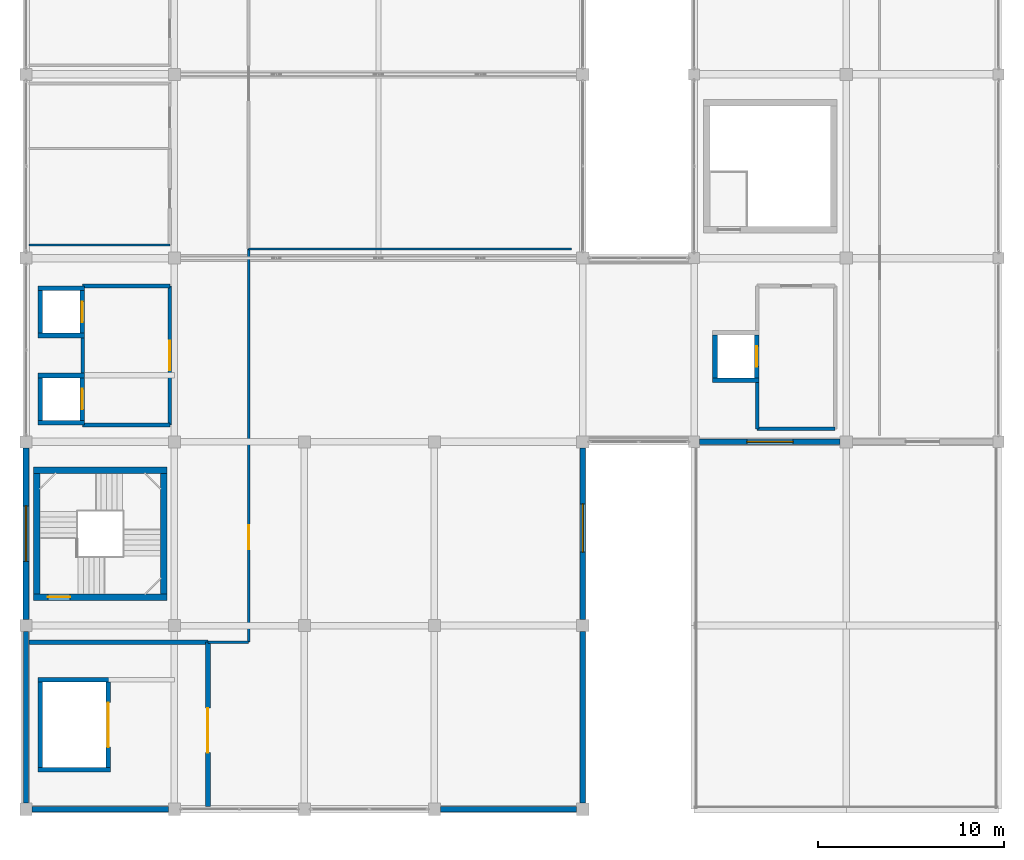
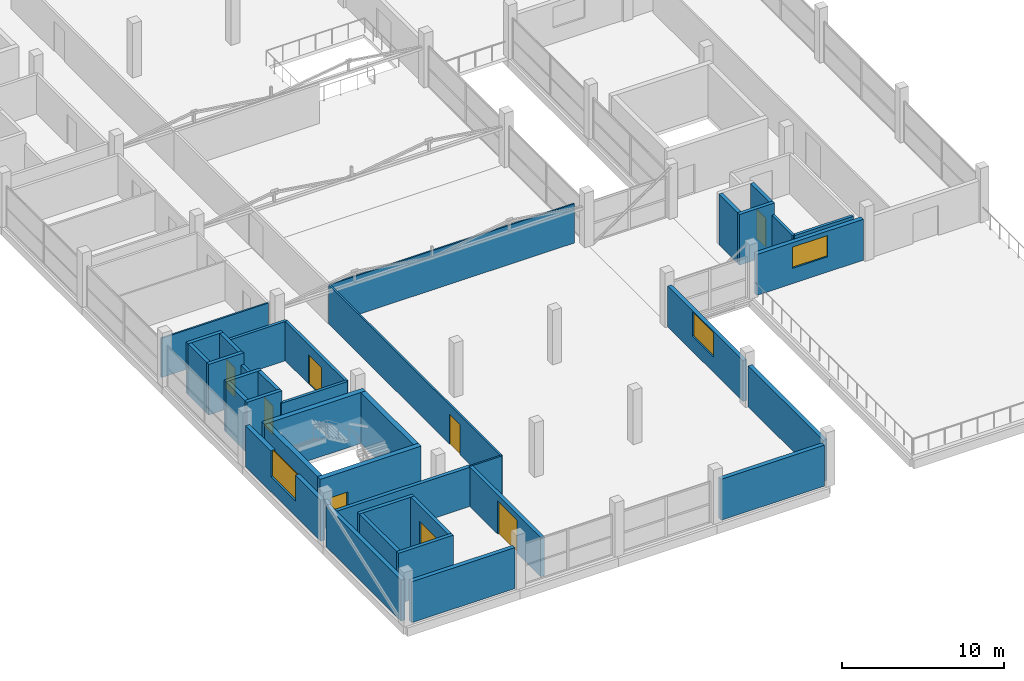
# One storey, part 45 of 53: 38 walls, 8 doors, 3 windows, 11 openings.
"""IFC4 building model written with IfcOpenShell, lengths in metres."""

from ifc_helpers import new_model, si_unit, direction, frame, frame_2d, origin, place, context, subcontext, project, spatial, rectangle, extrude, material, layer, layer_set, type_object, element, fill, save


model = new_model("IFC4")

# Units and contexts
model_context = context("Model", 3, precision=1e-05, world=origin(), true_north=direction((0.0, 1.0)))
body_context = subcontext(model_context, "Body", "Model", "MODEL_VIEW")
ifc_project = project(units=[si_unit("LENGTHUNIT", "METRE"), si_unit("AREAUNIT", "SQUARE_METRE"), si_unit("VOLUMEUNIT", "CUBIC_METRE"), si_unit("PLANEANGLEUNIT", "RADIAN"), si_unit("MASSUNIT", "GRAM", prefix="KILO")], contexts=[model_context])

# Site, building, storey
site_placement = place(None, origin())
site = spatial("IfcSite", under=ifc_project, at=site_placement, CompositionType="ELEMENT")
building_placement = place(site_placement, origin())
building = spatial("IfcBuilding", under=site, at=building_placement, Name="Sillaruma Civic Art Gallery", CompositionType="ELEMENT")
storey_placement = place(building_placement, frame((0.0, 0.0, 70.3798828125)))
storey = spatial("IfcBuildingStorey", under=building, at=storey_placement, Name="L14", CompositionType="ELEMENT", Elevation=70.3798828125)

# Wall, opening, door
ifc_material_1 = material(Name="Concrete H40 (40 MPa)", Category="concrete")
ifc_layer_1 = layer(ifc_material_1, 0.35009765625, Name="Concrete H40 (40 MPa)")
ifc_layer_set_1 = layer_set([ifc_layer_1], Name="Concrete H40 (40 MPa)")
wall_type_1 = type_object("IfcWallType", Name="WAL-CORE-350", PredefinedType="SHEAR", material=ifc_layer_set_1)
wall_1_placement = place(storey_placement, frame((62.409912109375, 31.235107421875, 0.0), z_axis=(0.0, 0.0, 1.0), x_axis=(1.0, 0.0, 0.0)))
wall_1 = element("IfcWall", 1, at=wall_1_placement, inside=storey, type_object=wall_type_1, Name="Stair Core Shear Wall W-CORE-350 (ST-03:L14:S)", PredefinedType="SHEAR", context=body_context, shape_type="SweptSolid", body=[
    extrude(rectangle(XDim=7.18017578125, YDim=0.35009765625, at=frame_2d((3.590087890625, 0.0))), origin(), (0.0, 0.0, 1.0), 3.830078125),
])
opening_1_placement = place(wall_1_placement, frame((0.77001953125, 0.0, 0.0)))
opening_1 = element("IfcOpeningElement", 2, at=opening_1_placement, cuts=wall_1, Name="Opening D-STAIR", PredefinedType="OPENING", context=body_context, shape_type="SweptSolid", body=[
    extrude(rectangle(XDim=1.199951171875, YDim=2.199951171875, at=frame_2d((0.60009765625, 1.10009765625))), frame((0.0, 0.18505859375, 0.0), z_axis=(0.0, -1.0, 0.0), x_axis=(1.0, 0.0, 0.0)), (0.0, 0.0, 1.0), 0.3701171875),
])
ifc_material_2 = material(Name="Galvanised Steel ASTM A653 Gr.50", Category="steel")
door_type_1 = type_object("IfcDoorType", Name="DOR-STAIR-120", OperationType="NOTDEFINED", PredefinedType="DOOR", material=ifc_material_2)
door_1_placement = place(opening_1_placement, origin())
door_1 = element("IfcDoor", 3, at=door_1_placement, inside=storey, type_object=door_type_1, Name="Protected Stair Fire Door (ST-03:L14)", OperationType="SINGLE_SWING_RIGHT", OverallHeight=2.199951171875, OverallWidth=1.199951171875, PredefinedType="DOOR", context=body_context, shape_type="SweptSolid", body=[
    extrude(rectangle(XDim=1.199951171875, YDim=2.199951171875, at=frame_2d((0.60009765625, 1.10009765625))), frame((0.0, 0.02490234375, 0.0), z_axis=(0.0, -1.0, 0.0), x_axis=(1.0, 0.0, 0.0)), (0.0, 0.0, 1.0), 0.050048828125),
])
fill(opening_1, door_1)

# Walls
wall_2_placement = place(storey_placement, frame((62.409912109375, 38.06494140625, 0.0), z_axis=(0.0, 0.0, 1.0), x_axis=(1.0, 0.0, 0.0)))
element("IfcWall", 4, at=wall_2_placement, inside=storey, type_object=wall_type_1, Name="Stair Core Shear Wall W-CORE-350 (ST-03:L14:N)", PredefinedType="SHEAR", context=body_context, shape_type="SweptSolid", body=[
    extrude(rectangle(XDim=7.18017578125, YDim=0.35009765625, at=frame_2d((3.590087890625, 0.0))), origin(), (0.0, 0.0, 1.0), 3.830078125),
])
for number, where, z_axis, x_axis, name in (
    (5, (62.5849609375, 31.409912109375, 0.0), (0.0, 0.0, 1.0), (0.0, 1.0, 0.0), "Stair Core Shear Wall W-CORE-350 (ST-03:L14:W)"),
    (6, (69.4150390625, 31.409912109375, 0.0), (0.0, 0.0, 1.0), (0.0, 1.0, 0.0), "Stair Core Shear Wall W-CORE-350 (ST-03:L14:E)"),
):
    element("IfcWall", number, at=place(storey_placement, frame(where, z_axis=z_axis, x_axis=x_axis)), inside=storey, type_object=wall_type_1, Name=name, PredefinedType="SHEAR", context=body_context, shape_type="SweptSolid", body=[
        extrude(rectangle(XDim=6.47998046875, YDim=0.35009765625, at=frame_2d((3.239990234375, 0.0))), origin(), (0.0, 0.0, 1.0), 3.830078125),
    ])
ifc_material_3 = material(Name="Concrete H35 (35 MPa)", Category="concrete")
ifc_layer_2 = layer(ifc_material_3, 0.159912109375, Name="Concrete backup", Category="concrete")
ifc_material_4 = material(Name="Mineral Wool Thermal Insulation", Category="insulation")
ifc_layer_3 = layer(ifc_material_4, 0.090087890625, Name="Thermal insulation", Category="insulation")
ifc_material_5 = material(Name="Anodised Zinc-Aluminium Alloy", Category="aluminium")
ifc_layer_4 = layer(ifc_material_5, 0.030029296875, Name="Rainscreen finish", Category="aluminium")
ifc_layer_set_2 = layer_set([ifc_layer_2, ifc_layer_3, ifc_layer_4], Name="W-EXT-280")
wall_type_2 = type_object("IfcWallType", Name="WAL-EXT-280", PredefinedType="SOLIDWALL", material=ifc_layer_set_2)
wall_3_placement = place(storey_placement, frame((92.0, 20.125, 0.0), z_axis=(0.0, 0.0, 1.0), x_axis=(0.0, 1.0, 0.0)))
element("IfcWall", 7, at=wall_3_placement, inside=storey, type_object=wall_type_2, Name="Exterior Wall W-EXT-280 (EW-L14-WBE-1)", PredefinedType="SOLIDWALL", context=body_context, shape_type="SweptSolid", body=[
    extrude(rectangle(XDim=9.25, YDim=0.280029296875, at=frame_2d((4.625, 0.0))), origin(), (0.0, 0.0, 1.0), 3.080078125),
])

# Wall, opening, window
wall_4_placement = place(storey_placement, frame((92.0, 30.02490234375, 0.0), z_axis=(0.0, 0.0, 1.0), x_axis=(0.0, 1.0, 0.0)))
wall_4 = element("IfcWall", 8, at=wall_4_placement, inside=storey, type_object=wall_type_2, Name="Exterior Wall W-EXT-280 (EW-L14-WBE-2)", PredefinedType="SOLIDWALL", context=body_context, shape_type="SweptSolid", body=[
    extrude(rectangle(XDim=9.25, YDim=0.280029296875, at=frame_2d((4.625, 0.0))), origin(), (0.0, 0.0, 1.0), 3.080078125),
])
opening_2_placement = place(wall_4_placement, frame((3.625, 0.0, 1.14990234375)))
opening_2 = element("IfcOpeningElement", 9, at=opening_2_placement, cuts=wall_4, Name="Opening WN-08", PredefinedType="OPENING", context=body_context, shape_type="SweptSolid", body=[
    extrude(rectangle(XDim=2.60009765625, YDim=1.85009765625, at=frame_2d((1.300048828125, 0.925048828125))), frame((0.0, 0.14990234375, 0.0), z_axis=(0.0, -1.0, 0.0), x_axis=(1.0, 0.0, 0.0)), (0.0, 0.0, 1.0), 0.300048828125),
])
ifc_material_6 = material(Name="Thermally Broken Extruded Aluminium 6063-T6", Category="aluminium")
window_type_1 = type_object("IfcWindowType", Name="WIN-W08", PartitioningType="SINGLE_PANEL", PredefinedType="WINDOW", material=ifc_material_6)
window_1_placement = place(opening_2_placement, origin())
window_1 = element("IfcWindow", 10, at=window_1_placement, inside=storey, type_object=window_type_1, Name="Window WN-08 (EW-L14-WBE-2-1)", OverallHeight=1.85009765625, OverallWidth=2.60009765625, PartitioningType="SINGLE_PANEL", PredefinedType="WINDOW", context=body_context, shape_type="SweptSolid", body=[
    extrude(rectangle(XDim=2.60009765625, YDim=1.85009765625, at=frame_2d((1.300048828125, 0.925048828125))), frame((0.0, 0.030029296875, 0.0), z_axis=(0.0, -1.0, 0.0), x_axis=(1.0, 0.0, 0.0)), (0.0, 0.0, 1.0), 0.06005859375),
])
fill(opening_2, window_1)

# Wall
ifc_layer_5 = layer(ifc_material_3, 0.169921875, Name="Concrete backup", Category="concrete")
ifc_layer_6 = layer(ifc_material_4, 0.090087890625, Name="Thermal insulation", Category="insulation")
ifc_layer_7 = layer(ifc_material_5, 0.030029296875, Name="Rainscreen finish", Category="aluminium")
ifc_layer_set_3 = layer_set([ifc_layer_5, ifc_layer_6, ifc_layer_7], Name="W-EXT-290")
wall_type_3 = type_object("IfcWallType", Name="WAL-EXT-290", PredefinedType="SOLIDWALL", material=ifc_layer_set_3)
wall_5_placement = place(storey_placement, frame((62.0, 20.125, 0.0), z_axis=(0.0, 0.0, 1.0), x_axis=(0.0, 1.0, 0.0)))
element("IfcWall", 11, at=wall_5_placement, inside=storey, type_object=wall_type_3, Name="Exterior Wall W-EXT-290 (EW-L14-WBW-1)", PredefinedType="SOLIDWALL", context=body_context, shape_type="SweptSolid", body=[
    extrude(rectangle(XDim=9.25, YDim=0.2900390625, at=frame_2d((4.625, 0.0))), origin(), (0.0, 0.0, 1.0), 3.080078125),
])

# Wall, opening, window
ifc_material_7 = material(Name="Precast Concrete H35 (35 MPa)", Category="concrete")
ifc_layer_8 = layer(ifc_material_7, 0.179931640625, Name="Precast backup", Category="concrete")
ifc_layer_9 = layer(ifc_material_4, 0.090087890625, Name="Thermal insulation", Category="insulation")
ifc_material_8 = material(Name="Comanche Granitic Ashlar Stone", Category="masonry")
ifc_layer_10 = layer(ifc_material_8, 0.030029296875, Name="Rainscreen cladding", Category="masonry")
ifc_layer_set_4 = layer_set([ifc_layer_8, ifc_layer_9, ifc_layer_10], Name="W-EXT-300")
wall_type_4 = type_object("IfcWallType", Name="WAL-EXT-300", PredefinedType="SOLIDWALL", material=ifc_layer_set_4)
wall_6_placement = place(storey_placement, frame((62.0, 30.02490234375, 0.0), z_axis=(0.0, 0.0, 1.0), x_axis=(0.0, 1.0, 0.0)))
wall_6 = element("IfcWall", 12, at=wall_6_placement, inside=storey, type_object=wall_type_4, Name="Exterior Wall W-EXT-300 (EW-L14-WBW-2)", PredefinedType="SOLIDWALL", context=body_context, shape_type="SweptSolid", body=[
    extrude(rectangle(XDim=9.25, YDim=0.300048828125, at=frame_2d((4.625, 0.0))), origin(), (0.0, 0.0, 1.0), 3.080078125),
])
opening_3_placement = place(wall_6_placement, frame((3.125, 0.0, 1.14990234375)))
opening_3 = element("IfcOpeningElement", 13, at=opening_3_placement, cuts=wall_6, Name="Opening WN-10", PredefinedType="OPENING", context=body_context, shape_type="SweptSolid", body=[
    extrude(rectangle(XDim=3.0, YDim=1.949951171875, at=frame_2d((1.5, 0.97509765625))), frame((0.0, 0.159912109375, 0.0), z_axis=(0.0, -1.0, 0.0), x_axis=(1.0, 0.0, 0.0)), (0.0, 0.0, 1.0), 0.320068359375),
])
window_type_2 = type_object("IfcWindowType", Name="WIN-W10", PartitioningType="SINGLE_PANEL", PredefinedType="WINDOW", material=ifc_material_6)
window_2_placement = place(opening_3_placement, origin())
window_2 = element("IfcWindow", 14, at=window_2_placement, inside=storey, type_object=window_type_2, Name="Window WN-10 (EW-L14-WBW-2-1)", OverallHeight=1.949951171875, OverallWidth=3.0, PartitioningType="SINGLE_PANEL", PredefinedType="WINDOW", context=body_context, shape_type="SweptSolid", body=[
    extrude(rectangle(XDim=3.0, YDim=1.949951171875, at=frame_2d((1.5, 0.97509765625))), frame((0.0, 0.030029296875, 0.0), z_axis=(0.0, -1.0, 0.0), x_axis=(1.0, 0.0, 0.0)), (0.0, 0.0, 1.0), 0.06005859375),
])
fill(opening_3, window_2)

# Walls
for number, where, z_axis, x_axis, name in (
    (15, (62.324951171875, 19.800048828125, 0.0), (0.0, 0.0, 1.0), (1.0, 0.0, 0.0), "Exterior Wall W-EXT-300 (EW-L14-WBS-1)"),
    (16, (84.324951171875, 19.800048828125, 0.0), (0.0, 0.0, 1.0), (1.0, 0.0, 0.0), "Exterior Wall W-EXT-300 (EW-L14-WBS-4)"),
):
    element("IfcWall", number, at=place(storey_placement, frame(where, z_axis=z_axis, x_axis=x_axis)), inside=storey, type_object=wall_type_4, Name=name, PredefinedType="SOLIDWALL", context=body_context, shape_type="SweptSolid", body=[
        extrude(rectangle(XDim=7.35009765625, YDim=0.300048828125, at=frame_2d((3.675048828125, 0.0))), origin(), (0.0, 0.0, 1.0), 3.080078125),
    ])

# Wall, opening, window
wall_7_placement = place(storey_placement, frame((98.300048828125, 39.60009765625, 0.0), z_axis=(0.0, 0.0, 1.0), x_axis=(1.0, 0.0, 0.0)))
wall_7 = element("IfcWall", 17, at=wall_7_placement, inside=storey, type_object=wall_type_4, Name="Exterior Wall W-EXT-300 (EW-L14-EHH-S1)", PredefinedType="SOLIDWALL", context=body_context, shape_type="SweptSolid", body=[
    extrude(rectangle(XDim=7.574951171875, YDim=0.300048828125, at=frame_2d((3.78759765625, 0.0))), origin(), (0.0, 0.0, 1.0), 3.080078125),
])
opening_4_placement = place(wall_7_placement, frame((2.5380859375, 0.0, 1.14990234375)))
opening_4 = element("IfcOpeningElement", 18, at=opening_4_placement, cuts=wall_7, Name="Opening WN-11", PredefinedType="OPENING", context=body_context, shape_type="SweptSolid", body=[
    extrude(rectangle(XDim=2.5, YDim=1.60009765625, at=frame_2d((1.25, 0.800048828125))), frame((0.0, 0.159912109375, 0.0), z_axis=(0.0, -1.0, 0.0), x_axis=(1.0, 0.0, 0.0)), (0.0, 0.0, 1.0), 0.320068359375),
])
window_type_3 = type_object("IfcWindowType", Name="WIN-W11", PartitioningType="SINGLE_PANEL", PredefinedType="WINDOW", material=ifc_material_6)
window_3_placement = place(opening_4_placement, origin())
window_3 = element("IfcWindow", 19, at=window_3_placement, inside=storey, type_object=window_type_3, Name="Window WN-11 (EW-L14-EHH-S1-1)", OverallHeight=1.60009765625, OverallWidth=2.5, PartitioningType="SINGLE_PANEL", PredefinedType="WINDOW", context=body_context, shape_type="SweptSolid", body=[
    extrude(rectangle(XDim=2.5, YDim=1.60009765625, at=frame_2d((1.25, 0.800048828125))), frame((0.0, 0.030029296875, 0.0), z_axis=(0.0, -1.0, 0.0), x_axis=(1.0, 0.0, 0.0)), (0.0, 0.0, 1.0), 0.06005859375),
])
fill(opening_4, window_3)

# Walls
ifc_material_9 = material(Name="Concrete Masonry Unit Grade M15", Category="masonry")
ifc_layer_11 = layer(ifc_material_9, 0.199951171875, Name="Concrete Masonry Unit Grade M15")
ifc_layer_set_5 = layer_set([ifc_layer_11], Name="Concrete Masonry Unit Grade M15")
wall_type_5 = type_object("IfcWallType", Name="WAL-LOBBY-200", PredefinedType="SOLIDWALL", material=ifc_layer_set_5)
for number, where, z_axis, x_axis, name in (
    (20, (65.050048828125, 40.5, 0.0), (0.0, 0.0, 1.0), (1.0, 0.0, 0.0), "Interior Wall W-LOBBY-200 (L14-LLW)"),
    (21, (65.050048828125, 48.0, 0.0), (0.0, 0.0, 1.0), (1.0, 0.0, 0.0), "Interior Wall W-LOBBY-200 (L14-LLW)"),
):
    element("IfcWall", number, at=place(storey_placement, frame(where, z_axis=z_axis, x_axis=x_axis)), inside=storey, type_object=wall_type_5, Name=name, PredefinedType="SOLIDWALL", context=body_context, shape_type="SweptSolid", body=[
        extrude(rectangle(XDim=4.699951171875, YDim=0.199951171875, at=frame_2d((2.35009765625, 0.0))), origin(), (0.0, 0.0, 1.0), 2.9501953125),
    ])
wall_8_placement = place(storey_placement, frame((65.050048828125, 43.300048828125, 0.0), z_axis=(0.0, 0.0, 1.0), x_axis=(0.0, 1.0, 0.0)))
element("IfcWall", 22, at=wall_8_placement, inside=storey, type_object=wall_type_5, Name="Interior Wall W-LOBBY-200 (L14-LLW)", PredefinedType="SOLIDWALL", context=body_context, shape_type="SweptSolid", body=[
    extrude(rectangle(XDim=1.89990234375, YDim=0.199951171875, at=frame_2d((0.949951171875, 0.0))), origin(), (0.0, 0.0, 1.0), 2.9501953125),
])

# Wall, opening, door
wall_9_placement = place(storey_placement, frame((69.75, 40.5, 0.0), z_axis=(0.0, 0.0, 1.0), x_axis=(0.0, 1.0, 0.0)))
wall_9 = element("IfcWall", 23, at=wall_9_placement, inside=storey, type_object=wall_type_5, Name="Interior Wall W-LOBBY-200 (L14-LLW)", PredefinedType="SOLIDWALL", context=body_context, shape_type="SweptSolid", body=[
    extrude(rectangle(XDim=7.5, YDim=0.199951171875, at=frame_2d((3.75, 0.0))), origin(), (0.0, 0.0, 1.0), 2.9501953125),
])
opening_5_placement = place(wall_9_placement, frame((2.949951171875, 0.0, 0.0)))
opening_5 = element("IfcOpeningElement", 24, at=opening_5_placement, cuts=wall_9, Name="Opening D-LOBBY", PredefinedType="OPENING", context=body_context, shape_type="SweptSolid", body=[
    extrude(rectangle(XDim=1.60009765625, YDim=2.199951171875, at=frame_2d((0.800048828125, 1.10009765625))), frame((0.0, 0.10986328125, 0.0), z_axis=(0.0, -1.0, 0.0), x_axis=(1.0, 0.0, 0.0)), (0.0, 0.0, 1.0), 0.219970703125),
])
door_type_2 = type_object("IfcDoorType", Name="DOR-LOBBY-160", OperationType="NOTDEFINED", PredefinedType="DOOR", material=ifc_material_6)
door_2_placement = place(opening_5_placement, origin())
door_2 = element("IfcDoor", 25, at=door_2_placement, inside=storey, type_object=door_type_2, Name="West Lift Lobby Door (D-LOBBY)", OperationType="DOUBLE_DOOR_SINGLE_SWING", OverallHeight=2.199951171875, OverallWidth=1.60009765625, PredefinedType="DOOR", context=body_context, shape_type="SweptSolid", body=[
    extrude(rectangle(XDim=1.60009765625, YDim=2.199951171875, at=frame_2d((0.800048828125, 1.10009765625))), frame((0.0, 0.02490234375, 0.0), z_axis=(0.0, -1.0, 0.0), x_axis=(1.0, 0.0, 0.0)), (0.0, 0.0, 1.0), 0.050048828125),
])
fill(opening_5, door_2)

# Walls
wall_10_placement = place(storey_placement, frame((101.39990234375, 40.300048828125, 0.0), z_axis=(0.0, 0.0, 1.0), x_axis=(1.0, 0.0, 0.0)))
element("IfcWall", 26, at=wall_10_placement, inside=storey, type_object=wall_type_5, Name="Interior Wall W-LOBBY-200 (L14-LLE)", PredefinedType="SOLIDWALL", context=body_context, shape_type="SweptSolid", body=[
    extrude(rectangle(XDim=4.2001953125, YDim=0.199951171875, at=frame_2d((2.10009765625, 0.0))), origin(), (0.0, 0.0, 1.0), 2.9501953125),
])
wall_11_placement = place(storey_placement, frame((101.39990234375, 40.300048828125, 0.0), z_axis=(0.0, 0.0, 1.0), x_axis=(0.0, 1.0, 0.0)))
element("IfcWall", 27, at=wall_11_placement, inside=storey, type_object=wall_type_5, Name="Interior Wall W-LOBBY-200 (L14-LLE)", PredefinedType="SOLIDWALL", context=body_context, shape_type="SweptSolid", body=[
    extrude(rectangle(XDim=2.5, YDim=0.199951171875, at=frame_2d((1.25, 0.0))), origin(), (0.0, 0.0, 1.0), 2.9501953125),
])
ifc_material_10 = material(Name="Gypsum Acoustic Board", Category="gypsum")
ifc_layer_12 = layer(ifc_material_10, 0.02490234375, Name="Finish board", Category="gypsum")
ifc_layer_13 = layer(ifc_material_4, 0.06005859375, Name="Acoustic core", Category="insulation")
ifc_material_11 = material(Name="Andean Oak Timber", Category="wood")
ifc_layer_14 = layer(ifc_material_11, 0.02490234375, Name="Gallery lining", Category="wood")
ifc_layer_set_6 = layer_set([ifc_layer_12, ifc_layer_13, ifc_layer_14], Name="W-PT-110")
wall_type_6 = type_object("IfcWallType", Name="WAL-PART-110", PredefinedType="PARTITIONING", material=ifc_layer_set_6)
wall_12_placement = place(storey_placement, frame((74.0, 50.0, 0.0), z_axis=(0.0, 0.0, 1.0), x_axis=(1.0, 0.0, 0.0)))
element("IfcWall", 28, at=wall_12_placement, inside=storey, type_object=wall_type_6, Name="Interior Wall W-PT-110 (L14-GAL14A)", PredefinedType="PARTITIONING", context=body_context, shape_type="SweptSolid", body=[
    extrude(rectangle(XDim=17.39990234375, YDim=0.110107421875, at=frame_2d((8.699951171875, 0.0))), origin(), (0.0, 0.0, 1.0), 2.9501953125),
])
ifc_layer_15 = layer(ifc_material_10, 0.02490234375, Name="Finish board", Category="gypsum")
ifc_layer_16 = layer(ifc_material_4, 0.070068359375, Name="Acoustic core", Category="insulation")
ifc_layer_17 = layer(ifc_material_11, 0.02490234375, Name="Gallery lining", Category="wood")
ifc_layer_set_7 = layer_set([ifc_layer_15, ifc_layer_16, ifc_layer_17], Name="W-PT-120")
wall_type_7 = type_object("IfcWallType", Name="WAL-PART-120", PredefinedType="PARTITIONING", material=ifc_layer_set_7)
wall_13_placement = place(storey_placement, frame((62.14990234375, 50.199951171875, 0.0), z_axis=(0.0, 0.0, 1.0), x_axis=(1.0, 0.0, 0.0)))
element("IfcWall", 29, at=wall_13_placement, inside=storey, type_object=wall_type_7, Name="Interior Wall W-PT-120 (L14-WC1)", PredefinedType="PARTITIONING", context=body_context, shape_type="SweptSolid", body=[
    extrude(rectangle(XDim=7.60009765625, YDim=0.1201171875, at=frame_2d((3.800048828125, 0.0))), origin(), (0.0, 0.0, 1.0), 2.9501953125),
])
wall_14_placement = place(storey_placement, frame((71.800048828125, 28.800048828125, 0.0), z_axis=(0.0, 0.0, 1.0), x_axis=(1.0, 0.0, 0.0)))
element("IfcWall", 30, at=wall_14_placement, inside=storey, type_object=wall_type_7, Name="Interior Wall W-PT-120 (L14-STD14B)", PredefinedType="PARTITIONING", context=body_context, shape_type="SweptSolid", body=[
    extrude(rectangle(XDim=2.199951171875, YDim=0.1201171875, at=frame_2d((1.10009765625, 0.0))), origin(), (0.0, 0.0, 1.0), 2.9501953125),
])

# Wall, opening, door
ifc_layer_18 = layer(ifc_material_10, 0.02490234375, Name="Finish board", Category="gypsum")
ifc_layer_19 = layer(ifc_material_4, 0.080078125, Name="Acoustic core", Category="insulation")
ifc_layer_20 = layer(ifc_material_11, 0.02490234375, Name="Gallery lining", Category="wood")
ifc_layer_set_8 = layer_set([ifc_layer_18, ifc_layer_19, ifc_layer_20], Name="W-PT-130")
wall_type_8 = type_object("IfcWallType", Name="WAL-PART-130", PredefinedType="PARTITIONING", material=ifc_layer_set_8)
wall_15_placement = place(storey_placement, frame((74.0, 28.800048828125, 0.0), z_axis=(0.0, 0.0, 1.0), x_axis=(0.0, 1.0, 0.0)))
wall_15 = element("IfcWall", 31, at=wall_15_placement, inside=storey, type_object=wall_type_8, Name="Interior Wall W-PT-130 (L14-STD14B)", PredefinedType="PARTITIONING", context=body_context, shape_type="SweptSolid", body=[
    extrude(rectangle(XDim=21.199951171875, YDim=0.1298828125, at=frame_2d((10.60009765625, 0.0))), origin(), (0.0, 0.0, 1.0), 2.9501953125),
])
opening_6_placement = place(wall_15_placement, frame((5.0, 0.0, 0.0)))
opening_6 = element("IfcOpeningElement", 32, at=opening_6_placement, cuts=wall_15, Name="Opening D-STD13", PredefinedType="OPENING", context=body_context, shape_type="SweptSolid", body=[
    extrude(rectangle(XDim=1.300048828125, YDim=2.25, at=frame_2d((0.64990234375, 1.125))), frame((0.0, 0.074951171875, 0.0), z_axis=(0.0, -1.0, 0.0), x_axis=(1.0, 0.0, 0.0)), (0.0, 0.0, 1.0), 0.14990234375),
])
door_type_3 = type_object("IfcDoorType", Name="DOR-STD-130", OperationType="NOTDEFINED", PredefinedType="DOOR", material=ifc_material_11)
door_3_placement = place(opening_6_placement, origin())
door_3 = element("IfcDoor", 33, at=door_3_placement, inside=storey, type_object=door_type_3, Name="Senior Fellowship Artist Studio South Door (D-STD13)", OperationType="SINGLE_SWING_RIGHT", OverallHeight=2.25, OverallWidth=1.300048828125, PredefinedType="DOOR", context=body_context, shape_type="SweptSolid", body=[
    extrude(rectangle(XDim=1.300048828125, YDim=2.25, at=frame_2d((0.64990234375, 1.125))), frame((0.0, 0.02490234375, 0.0), z_axis=(0.0, -1.0, 0.0), x_axis=(1.0, 0.0, 0.0)), (0.0, 0.0, 1.0), 0.050048828125),
])
fill(opening_6, door_3)

# Walls
ifc_layer_21 = layer(ifc_material_1, 0.25, Name="Concrete H40 (40 MPa)")
ifc_layer_set_9 = layer_set([ifc_layer_21], Name="Concrete H40 (40 MPa)")
wall_type_9 = type_object("IfcWallType", Name="WAL-SHAFT-250", PredefinedType="SOLIDWALL", material=ifc_layer_set_9)
for number, where, z_axis, x_axis, name in (
    (34, (62.64990234375, 40.625, 0.0), (0.0, 0.0, 1.0), (1.0, 0.0, 0.0), "Lift Shaft Wall W-SHAFT-250 (PL-01:L14:S)"),
    (35, (62.64990234375, 43.175048828125, 0.0), (0.0, 0.0, 1.0), (1.0, 0.0, 0.0), "Lift Shaft Wall W-SHAFT-250 (PL-01:L14:N)"),
):
    element("IfcWall", number, at=place(storey_placement, frame(where, z_axis=z_axis, x_axis=x_axis)), inside=storey, type_object=wall_type_9, Name=name, PredefinedType="SOLIDWALL", context=body_context, shape_type="SweptSolid", body=[
        extrude(rectangle(XDim=2.5, YDim=0.25, at=frame_2d((1.25, 0.0))), origin(), (0.0, 0.0, 1.0), 3.81005859375),
    ])
wall_16_placement = place(storey_placement, frame((62.77490234375, 40.75, 0.0), z_axis=(0.0, 0.0, 1.0), x_axis=(0.0, 1.0, 0.0)))
element("IfcWall", 36, at=wall_16_placement, inside=storey, type_object=wall_type_9, Name="Lift Shaft Wall W-SHAFT-250 (PL-01:L14:W)", PredefinedType="SOLIDWALL", context=body_context, shape_type="SweptSolid", body=[
    extrude(rectangle(XDim=2.300048828125, YDim=0.25, at=frame_2d((1.14990234375, 0.0))), origin(), (0.0, 0.0, 1.0), 3.81005859375),
])

# Wall, opening, door
wall_17_placement = place(storey_placement, frame((65.02490234375, 40.75, 0.0), z_axis=(0.0, 0.0, 1.0), x_axis=(0.0, 1.0, 0.0)))
wall_17 = element("IfcWall", 37, at=wall_17_placement, inside=storey, type_object=wall_type_9, Name="Lift Shaft Wall W-SHAFT-250 (PL-01:L14:E)", PredefinedType="SOLIDWALL", context=body_context, shape_type="SweptSolid", body=[
    extrude(rectangle(XDim=2.300048828125, YDim=0.25, at=frame_2d((1.14990234375, 0.0))), origin(), (0.0, 0.0, 1.0), 3.81005859375),
])
opening_7_placement = place(wall_17_placement, frame((0.60009765625, 0.0, 0.0)))
opening_7 = element("IfcOpeningElement", 38, at=opening_7_placement, cuts=wall_17, Name="Opening LD-01", PredefinedType="OPENING", context=body_context, shape_type="SweptSolid", body=[
    extrude(rectangle(XDim=1.10009765625, YDim=2.199951171875, at=frame_2d((0.550048828125, 1.10009765625))), frame((0.0, 0.135009765625, 0.0), z_axis=(0.0, -1.0, 0.0), x_axis=(1.0, 0.0, 0.0)), (0.0, 0.0, 1.0), 0.27001953125),
])
door_type_4 = type_object("IfcDoorType", Name="DOR-LD-01", OperationType="NOTDEFINED", PredefinedType="DOOR", material=ifc_material_2)
door_4_placement = place(opening_7_placement, origin())
door_4 = element("IfcDoor", 39, at=door_4_placement, inside=storey, type_object=door_type_4, Name="Lift Sliding Landing Door LD-01 (PL-01:L14)", OperationType="DOUBLE_DOOR_SLIDING", OverallHeight=2.199951171875, OverallWidth=1.10009765625, PredefinedType="DOOR", context=body_context, shape_type="SweptSolid", body=[
    extrude(rectangle(XDim=1.10009765625, YDim=2.199951171875, at=frame_2d((0.550048828125, 1.10009765625))), frame((0.0, 0.02490234375, 0.0), z_axis=(0.0, -1.0, 0.0), x_axis=(1.0, 0.0, 0.0)), (0.0, 0.0, 1.0), 0.050048828125),
])
fill(opening_7, door_4)

# Walls
for number, where, z_axis, x_axis, name in (
    (40, (62.64990234375, 45.324951171875, 0.0), (0.0, 0.0, 1.0), (1.0, 0.0, 0.0), "Lift Shaft Wall W-SHAFT-250 (PL-02:L14:S)"),
    (41, (62.64990234375, 47.875, 0.0), (0.0, 0.0, 1.0), (1.0, 0.0, 0.0), "Lift Shaft Wall W-SHAFT-250 (PL-02:L14:N)"),
):
    element("IfcWall", number, at=place(storey_placement, frame(where, z_axis=z_axis, x_axis=x_axis)), inside=storey, type_object=wall_type_9, Name=name, PredefinedType="SOLIDWALL", context=body_context, shape_type="SweptSolid", body=[
        extrude(rectangle(XDim=2.5, YDim=0.25, at=frame_2d((1.25, 0.0))), origin(), (0.0, 0.0, 1.0), 3.81005859375),
    ])
wall_18_placement = place(storey_placement, frame((62.77490234375, 45.449951171875, 0.0), z_axis=(0.0, 0.0, 1.0), x_axis=(0.0, 1.0, 0.0)))
element("IfcWall", 42, at=wall_18_placement, inside=storey, type_object=wall_type_9, Name="Lift Shaft Wall W-SHAFT-250 (PL-02:L14:W)", PredefinedType="SOLIDWALL", context=body_context, shape_type="SweptSolid", body=[
    extrude(rectangle(XDim=2.300048828125, YDim=0.25, at=frame_2d((1.14990234375, 0.0))), origin(), (0.0, 0.0, 1.0), 3.81005859375),
])

# Wall, opening, door
wall_19_placement = place(storey_placement, frame((65.02490234375, 45.449951171875, 0.0), z_axis=(0.0, 0.0, 1.0), x_axis=(0.0, 1.0, 0.0)))
wall_19 = element("IfcWall", 43, at=wall_19_placement, inside=storey, type_object=wall_type_9, Name="Lift Shaft Wall W-SHAFT-250 (PL-02:L14:E)", PredefinedType="SOLIDWALL", context=body_context, shape_type="SweptSolid", body=[
    extrude(rectangle(XDim=2.300048828125, YDim=0.25, at=frame_2d((1.14990234375, 0.0))), origin(), (0.0, 0.0, 1.0), 3.81005859375),
])
opening_8_placement = place(wall_19_placement, frame((0.60009765625, 0.0, 0.0)))
opening_8 = element("IfcOpeningElement", 44, at=opening_8_placement, cuts=wall_19, Name="Opening LD-01", PredefinedType="OPENING", context=body_context, shape_type="SweptSolid", body=[
    extrude(rectangle(XDim=1.10009765625, YDim=2.199951171875, at=frame_2d((0.550048828125, 1.10009765625))), frame((0.0, 0.135009765625, 0.0), z_axis=(0.0, -1.0, 0.0), x_axis=(1.0, 0.0, 0.0)), (0.0, 0.0, 1.0), 0.27001953125),
])
door_5_placement = place(opening_8_placement, origin())
door_5 = element("IfcDoor", 45, at=door_5_placement, inside=storey, type_object=door_type_4, Name="Lift Sliding Landing Door LD-01 (PL-02:L14)", OperationType="DOUBLE_DOOR_SLIDING", OverallHeight=2.199951171875, OverallWidth=1.10009765625, PredefinedType="DOOR", context=body_context, shape_type="SweptSolid", body=[
    extrude(rectangle(XDim=1.10009765625, YDim=2.199951171875, at=frame_2d((0.550048828125, 1.10009765625))), frame((0.0, 0.02490234375, 0.0), z_axis=(0.0, -1.0, 0.0), x_axis=(1.0, 0.0, 0.0)), (0.0, 0.0, 1.0), 0.050048828125),
])
fill(opening_8, door_5)

# Walls
wall_20_placement = place(storey_placement, frame((99.0, 42.925048828125, 0.0), z_axis=(0.0, 0.0, 1.0), x_axis=(1.0, 0.0, 0.0)))
element("IfcWall", 46, at=wall_20_placement, inside=storey, type_object=wall_type_9, Name="Lift Shaft Wall W-SHAFT-250 (PL-03:L14:S)", PredefinedType="SOLIDWALL", context=body_context, shape_type="SweptSolid", body=[
    extrude(rectangle(XDim=2.5, YDim=0.25, at=frame_2d((1.25, 0.0))), origin(), (0.0, 0.0, 1.0), 3.81005859375),
])
wall_21_placement = place(storey_placement, frame((99.125, 43.050048828125, 0.0), z_axis=(0.0, 0.0, 1.0), x_axis=(0.0, 1.0, 0.0)))
element("IfcWall", 47, at=wall_21_placement, inside=storey, type_object=wall_type_9, Name="Lift Shaft Wall W-SHAFT-250 (PL-03:L14:W)", PredefinedType="SOLIDWALL", context=body_context, shape_type="SweptSolid", body=[
    extrude(rectangle(XDim=2.300048828125, YDim=0.25, at=frame_2d((1.14990234375, 0.0))), origin(), (0.0, 0.0, 1.0), 3.81005859375),
])

# Wall, opening, door
wall_22_placement = place(storey_placement, frame((101.375, 43.050048828125, 0.0), z_axis=(0.0, 0.0, 1.0), x_axis=(0.0, 1.0, 0.0)))
wall_22 = element("IfcWall", 48, at=wall_22_placement, inside=storey, type_object=wall_type_9, Name="Lift Shaft Wall W-SHAFT-250 (PL-03:L14:E)", PredefinedType="SOLIDWALL", context=body_context, shape_type="SweptSolid", body=[
    extrude(rectangle(XDim=2.300048828125, YDim=0.25, at=frame_2d((1.14990234375, 0.0))), origin(), (0.0, 0.0, 1.0), 3.81005859375),
])
opening_9_placement = place(wall_22_placement, frame((0.60009765625, 0.0, 0.0)))
opening_9 = element("IfcOpeningElement", 49, at=opening_9_placement, cuts=wall_22, Name="Opening LD-01", PredefinedType="OPENING", context=body_context, shape_type="SweptSolid", body=[
    extrude(rectangle(XDim=1.10009765625, YDim=2.199951171875, at=frame_2d((0.550048828125, 1.10009765625))), frame((0.0, 0.135009765625, 0.0), z_axis=(0.0, -1.0, 0.0), x_axis=(1.0, 0.0, 0.0)), (0.0, 0.0, 1.0), 0.27001953125),
])
door_6_placement = place(opening_9_placement, origin())
door_6 = element("IfcDoor", 50, at=door_6_placement, inside=storey, type_object=door_type_4, Name="Lift Sliding Landing Door LD-01 (PL-03:L14)", OperationType="DOUBLE_DOOR_SLIDING", OverallHeight=2.199951171875, OverallWidth=1.10009765625, PredefinedType="DOOR", context=body_context, shape_type="SweptSolid", body=[
    extrude(rectangle(XDim=1.10009765625, YDim=2.199951171875, at=frame_2d((0.550048828125, 1.10009765625))), frame((0.0, 0.02490234375, 0.0), z_axis=(0.0, -1.0, 0.0), x_axis=(1.0, 0.0, 0.0)), (0.0, 0.0, 1.0), 0.050048828125),
])
fill(opening_9, door_6)

# Walls
for number, where, z_axis, x_axis, name in (
    (51, (62.64990234375, 21.925048828125, 0.0), (0.0, 0.0, 1.0), (1.0, 0.0, 0.0), "Lift Shaft Wall W-SHAFT-250 (GL-01:L14:S)"),
    (52, (62.64990234375, 26.77490234375, 0.0), (0.0, 0.0, 1.0), (1.0, 0.0, 0.0), "Lift Shaft Wall W-SHAFT-250 (GL-01:L14:N)"),
):
    element("IfcWall", number, at=place(storey_placement, frame(where, z_axis=z_axis, x_axis=x_axis)), inside=storey, type_object=wall_type_9, Name=name, PredefinedType="SOLIDWALL", context=body_context, shape_type="SweptSolid", body=[
        extrude(rectangle(XDim=3.900146484375, YDim=0.25, at=frame_2d((1.9501953125, 0.0))), origin(), (0.0, 0.0, 1.0), 3.81005859375),
    ])
wall_23_placement = place(storey_placement, frame((62.77490234375, 22.050048828125, 0.0), z_axis=(0.0, 0.0, 1.0), x_axis=(0.0, 1.0, 0.0)))
element("IfcWall", 53, at=wall_23_placement, inside=storey, type_object=wall_type_9, Name="Lift Shaft Wall W-SHAFT-250 (GL-01:L14:W)", PredefinedType="SOLIDWALL", context=body_context, shape_type="SweptSolid", body=[
    extrude(rectangle(XDim=4.599853515625, YDim=0.25, at=frame_2d((2.2998046875, 0.0))), origin(), (0.0, 0.0, 1.0), 3.81005859375),
])

# Wall, opening, door
wall_24_placement = place(storey_placement, frame((66.425048828125, 22.050048828125, 0.0), z_axis=(0.0, 0.0, 1.0), x_axis=(0.0, 1.0, 0.0)))
wall_24 = element("IfcWall", 54, at=wall_24_placement, inside=storey, type_object=wall_type_9, Name="Lift Shaft Wall W-SHAFT-250 (GL-01:L14:E)", PredefinedType="SOLIDWALL", context=body_context, shape_type="SweptSolid", body=[
    extrude(rectangle(XDim=4.599853515625, YDim=0.25, at=frame_2d((2.2998046875, 0.0))), origin(), (0.0, 0.0, 1.0), 3.81005859375),
])
opening_10_placement = place(wall_24_placement, frame((1.10009765625, 0.0, 0.0)))
opening_10 = element("IfcOpeningElement", 55, at=opening_10_placement, cuts=wall_24, Name="Opening LD-03", PredefinedType="OPENING", context=body_context, shape_type="SweptSolid", body=[
    extrude(rectangle(XDim=2.39990234375, YDim=2.64990234375, at=frame_2d((1.199951171875, 1.324951171875))), frame((0.0, 0.135009765625, 0.0), z_axis=(0.0, -1.0, 0.0), x_axis=(1.0, 0.0, 0.0)), (0.0, 0.0, 1.0), 0.27001953125),
])
door_type_5 = type_object("IfcDoorType", Name="DOR-LD-03", OperationType="NOTDEFINED", PredefinedType="DOOR", material=ifc_material_2)
door_7_placement = place(opening_10_placement, origin())
door_7 = element("IfcDoor", 56, at=door_7_placement, inside=storey, type_object=door_type_5, Name="Lift Sliding Landing Door LD-03 (GL-01:L14)", OperationType="DOUBLE_DOOR_SLIDING", OverallHeight=2.64990234375, OverallWidth=2.39990234375, PredefinedType="DOOR", context=body_context, shape_type="SweptSolid", body=[
    extrude(rectangle(XDim=2.39990234375, YDim=2.64990234375, at=frame_2d((1.199951171875, 1.324951171875))), frame((0.0, 0.02490234375, 0.0), z_axis=(0.0, -1.0, 0.0), x_axis=(1.0, 0.0, 0.0)), (0.0, 0.0, 1.0), 0.050048828125),
])
fill(opening_10, door_7)

# Wall
ifc_layer_22 = layer(ifc_material_9, 0.2548828125, Name="Concrete Masonry Unit Grade M15")
ifc_layer_set_10 = layer_set([ifc_layer_22], Name="Concrete Masonry Unit Grade M15")
wall_type_10 = type_object("IfcWallType", Name="WAL-STORE-250", PredefinedType="SOLIDWALL", material=ifc_layer_set_10)
wall_25_placement = place(storey_placement, frame((62.14990234375, 28.800048828125, 0.0), z_axis=(0.0, 0.0, 1.0), x_axis=(1.0, 0.0, 0.0)))
element("IfcWall", 57, at=wall_25_placement, inside=storey, type_object=wall_type_10, Name="Interior Wall W-STORE-250 (L14-AIR)", PredefinedType="SOLIDWALL", context=body_context, shape_type="SweptSolid", body=[
    extrude(rectangle(XDim=9.650146484375, YDim=0.2548828125, at=frame_2d((4.8251953125, 0.0))), origin(), (0.0, 0.0, 1.0), 2.9501953125),
])

# Wall, opening, door
wall_26_placement = place(storey_placement, frame((71.800048828125, 19.949951171875, 0.0), z_axis=(0.0, 0.0, 1.0), x_axis=(0.0, 1.0, 0.0)))
wall_26 = element("IfcWall", 58, at=wall_26_placement, inside=storey, type_object=wall_type_10, Name="Interior Wall W-STORE-250 (L14-AIR)", PredefinedType="SOLIDWALL", context=body_context, shape_type="SweptSolid", body=[
    extrude(rectangle(XDim=8.85009765625, YDim=0.2548828125, at=frame_2d((4.425048828125, 0.0))), origin(), (0.0, 0.0, 1.0), 2.9501953125),
])
opening_11_placement = place(wall_26_placement, frame((2.89990234375, 0.0, 0.0)))
opening_11 = element("IfcOpeningElement", 59, at=opening_11_placement, cuts=wall_26, Name="Opening D-STR24", PredefinedType="OPENING", context=body_context, shape_type="SweptSolid", body=[
    extrude(rectangle(XDim=2.39990234375, YDim=2.5, at=frame_2d((1.199951171875, 1.25))), frame((0.0, 0.137451171875, 0.0), z_axis=(0.0, -1.0, 0.0), x_axis=(1.0, 0.0, 0.0)), (0.0, 0.0, 1.0), 0.27490234375),
])
door_type_6 = type_object("IfcDoorType", Name="DOR-STORE-240", OperationType="NOTDEFINED", PredefinedType="DOOR", material=ifc_material_2)
door_8_placement = place(opening_11_placement, origin())
door_8 = element("IfcDoor", 60, at=door_8_placement, inside=storey, type_object=door_type_6, Name="Crate Airlock Door (D-STR24)", OperationType="DOUBLE_DOOR_SINGLE_SWING", OverallHeight=2.5, OverallWidth=2.39990234375, PredefinedType="DOOR", context=body_context, shape_type="SweptSolid", body=[
    extrude(rectangle(XDim=2.39990234375, YDim=2.5, at=frame_2d((1.199951171875, 1.25))), frame((0.0, 0.02490234375, 0.0), z_axis=(0.0, -1.0, 0.0), x_axis=(1.0, 0.0, 0.0)), (0.0, 0.0, 1.0), 0.050048828125),
])
fill(opening_11, door_8)

save(model, "model.ifc")
